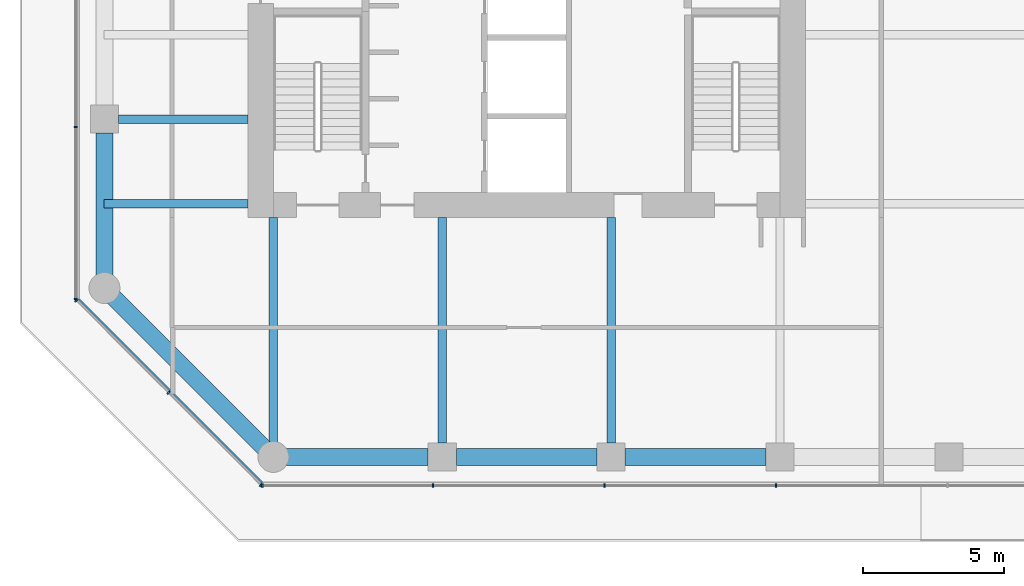
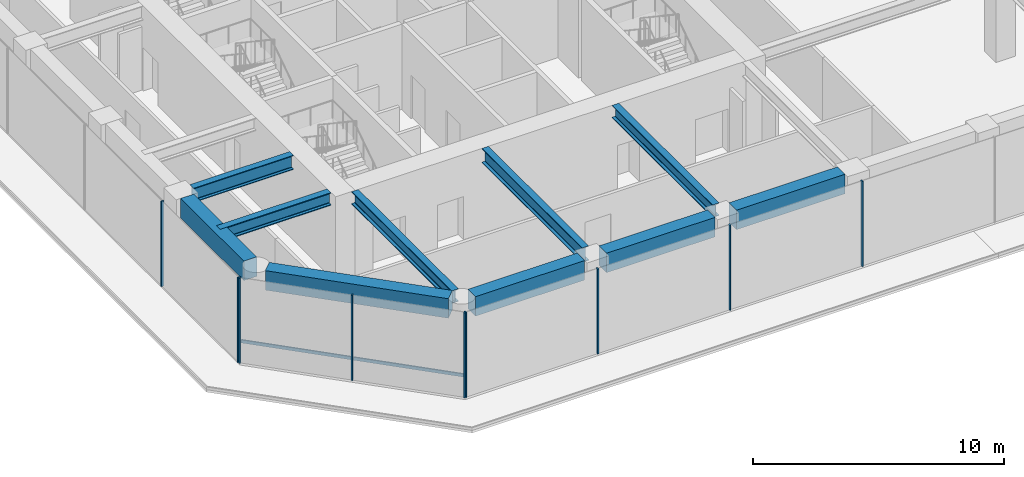
# One storey, part 2 of 24: 10 beams, 10 members, 3 elements without a shape of their own.
"""IFC4 building model written with IfcOpenShell, lengths in metres."""

from ifc_helpers import new_model, si_unit, direction, frame, origin, origin_2d, place, context, subcontext, project, spatial, rectangle, i_section, extrude, material, layer, layer_set, material_profile, profile_set, type_object, element, aggregate, save


model = new_model("IFC4")

# Units and contexts
model_context = context("Model", 3, precision=1e-05, world=origin(), true_north=direction((0.0, 1.0)))
body_context = subcontext(model_context, "Body", "Model", "MODEL_VIEW")
ifc_project = project(units=[si_unit("LENGTHUNIT", "METRE"), si_unit("AREAUNIT", "SQUARE_METRE"), si_unit("VOLUMEUNIT", "CUBIC_METRE"), si_unit("PLANEANGLEUNIT", "RADIAN"), si_unit("MASSUNIT", "GRAM", prefix="KILO")], contexts=[model_context])

# Site, building, storey
site_placement = place(None, origin())
site = spatial("IfcSite", under=ifc_project, at=site_placement, CompositionType="ELEMENT")
building_placement = place(site_placement, origin())
building = spatial("IfcBuilding", under=site, at=building_placement, Name="Welwitschia Terrace Campus", CompositionType="ELEMENT")
storey_placement = place(building_placement, frame((0.0, 0.0, 20.0)))
storey = spatial("IfcBuildingStorey", under=building, at=storey_placement, Name="L04", CompositionType="ELEMENT", Elevation=20.0)

# Beams
ifc_material_1 = material(Name="Steel S355", Category="steel")
ifc_material_profile_1 = material_profile(ifc_material_1, i_section(OverallWidth=0.304931640625, OverallDepth=0.6201171875, WebThickness=0.02099609375, FlangeThickness=0.0400390625, FilletRadius=0.027099609375, at=origin_2d()))
ifc_profile_set_1 = profile_set([ifc_material_profile_1], Name="Steel S355")
beam_type_1 = type_object("IfcBeamType", Name="Interior girder HE 600 M", PredefinedType="BEAM", material=ifc_profile_set_1)
beam_1_placement = place(storey_placement, frame((-0.010009765625, 5.0, 3.840087890625), z_axis=(1.0, 0.0, 0.0), x_axis=(0.0, 1.0, 0.0)))
element("IfcBeam", 1, at=beam_1_placement, inside=storey, type_object=beam_type_1, Name="Girder GB1", PredefinedType="BEAM", context=body_context, shape_type="SweptSolid", body=[
    extrude(i_section(OverallWidth=0.304931640625, OverallDepth=0.6201171875, WebThickness=0.02099609375, FlangeThickness=0.0400390625, FilletRadius=0.027099609375, at=origin_2d()), origin(), (0.0, 0.0, 1.0), 5.109130859375),
])
beam_2_placement = place(storey_placement, frame((6.0, -3.48095703125, 3.840087890625), z_axis=(0.0, 1.0, 0.0), x_axis=(-1.0, 0.0, 0.0)))
element("IfcBeam", 2, at=beam_2_placement, inside=storey, type_object=beam_type_1, Name="Girder GB1", PredefinedType="BEAM", context=body_context, shape_type="SweptSolid", body=[
    extrude(i_section(OverallWidth=0.304931640625, OverallDepth=0.6201171875, WebThickness=0.02099609375, FlangeThickness=0.0400390625, FilletRadius=0.027099609375, at=origin_2d()), origin(), (0.0, 0.0, 1.0), 7.97998046875),
])
beam_3_placement = place(storey_placement, frame((18.0, -3.509521484375, 3.840087890625), z_axis=(0.0, 1.0, 0.0), x_axis=(-1.0, 0.0, 0.0)))
element("IfcBeam", 3, at=beam_3_placement, inside=storey, type_object=beam_type_1, Name="Girder GB1", PredefinedType="BEAM", context=body_context, shape_type="SweptSolid", body=[
    extrude(i_section(OverallWidth=0.304931640625, OverallDepth=0.6201171875, WebThickness=0.02099609375, FlangeThickness=0.0400390625, FilletRadius=0.027099609375, at=origin_2d()), origin(), (0.0, 0.0, 1.0), 8.008544921875),
])

# Curtain wall, members
ifc_material_2 = material(Name="Bronze anodised aluminium", Category="aluminium")
ifc_layer = layer(ifc_material_2, 0.1201171875)
ifc_layer_set = layer_set([ifc_layer], Name="Bronze anodised aluminium")
curtain_wall_type = type_object("IfcCurtainWallType", Name="Curtain wall CW2 tower 6000", PredefinedType="NOTDEFINED", material=ifc_layer_set)
curtain_wall_1_placement = place(storey_placement, origin())
curtain_wall_1 = element("IfcCurtainWall", 4, at=curtain_wall_1_placement, inside=storey, type_object=curtain_wall_type, Name="CW L04.0.0", PredefinedType="NOTDEFINED")
ifc_material_3 = material(Name="Bronze anodised aluminium", Category="aluminium")
ifc_material_profile_2 = material_profile(ifc_material_3, rectangle(XDim=0.1201171875, YDim=0.06005859375, at=origin_2d()))
ifc_profile_set_2 = profile_set([ifc_material_profile_2], Name="Bronze anodised aluminium")
member_type_1 = type_object("IfcMemberType", Name="Mullion 60x120", PredefinedType="MULLION", material=ifc_profile_set_2)
member_1_placement = place(storey_placement, frame((-0.998779296875, 1.556396484375, 0.0), z_axis=(0.0, 0.0, 1.0), x_axis=(0.707106781187, 0.707106781187, 0.0)))
member_1 = element("IfcMember", 5, at=member_1_placement, type_object=member_type_1, Name="Mullion L04.0.0.0", PredefinedType="MULLION", context=body_context, shape_type="SweptSolid", body=[
    extrude(rectangle(XDim=0.1201171875, YDim=0.06005859375, at=origin_2d()), origin(), (0.0, 0.0, 1.0), 4.14990234375),
])
member_2_placement = place(storey_placement, frame((2.27880859375, -1.72119140625, 0.0), z_axis=(0.0, 0.0, 1.0), x_axis=(0.707106781187, 0.707106781187, 0.0)))
member_2 = element("IfcMember", 6, at=member_2_placement, type_object=member_type_1, Name="Mullion L04.0.0.1", PredefinedType="MULLION", context=body_context, shape_type="SweptSolid", body=[
    extrude(rectangle(XDim=0.1201171875, YDim=0.06005859375, at=origin_2d()), origin(), (0.0, 0.0, 1.0), 4.14990234375),
])
member_3_placement = place(storey_placement, frame((5.556396484375, -4.998779296875, 0.0), z_axis=(0.0, 0.0, 1.0), x_axis=(0.707106781187, 0.707106781187, 0.0)))
member_3 = element("IfcMember", 7, at=member_3_placement, type_object=member_type_1, Name="Mullion L04.0.0.2", PredefinedType="MULLION", context=body_context, shape_type="SweptSolid", body=[
    extrude(rectangle(XDim=0.1201171875, YDim=0.06005859375, at=origin_2d()), origin(), (0.0, 0.0, 1.0), 4.14990234375),
])

curtain_wall_2_placement = place(storey_placement, origin())
curtain_wall_2 = element("IfcCurtainWall", 8, at=curtain_wall_2_placement, inside=storey, type_object=curtain_wall_type, Name="CW L04.1.0", PredefinedType="NOTDEFINED")
member_4_placement = place(storey_placement, frame((5.607421875, -5.02001953125, 0.0), z_axis=(0.0, 0.0, 1.0), x_axis=(0.0, 1.0, 0.0)))
member_4 = element("IfcMember", 9, at=member_4_placement, type_object=member_type_1, Name="Mullion L04.1.0.0", PredefinedType="MULLION", context=body_context, shape_type="SweptSolid", body=[
    extrude(rectangle(XDim=0.1201171875, YDim=0.06005859375, at=origin_2d()), origin(), (0.0, 0.0, 1.0), 4.14990234375),
])
member_5_placement = place(storey_placement, frame((11.67138671875, -5.02001953125, 0.0), z_axis=(0.0, 0.0, 1.0), x_axis=(0.0, 1.0, 0.0)))
member_5 = element("IfcMember", 10, at=member_5_placement, type_object=member_type_1, Name="Mullion L04.1.0.1", PredefinedType="MULLION", context=body_context, shape_type="SweptSolid", body=[
    extrude(rectangle(XDim=0.1201171875, YDim=0.06005859375, at=origin_2d()), origin(), (0.0, 0.0, 1.0), 4.14990234375),
])
member_6_placement = place(storey_placement, frame((17.765380859375, -5.02001953125, 0.0), z_axis=(0.0, 0.0, 1.0), x_axis=(0.0, 1.0, 0.0)))
member_6 = element("IfcMember", 11, at=member_6_placement, type_object=member_type_1, Name="Mullion L04.1.0.2", PredefinedType="MULLION", context=body_context, shape_type="SweptSolid", body=[
    extrude(rectangle(XDim=0.1201171875, YDim=0.06005859375, at=origin_2d()), origin(), (0.0, 0.0, 1.0), 4.14990234375),
])
member_7_placement = place(storey_placement, frame((23.859130859375, -5.02001953125, 0.0), z_axis=(0.0, 0.0, 1.0), x_axis=(0.0, 1.0, 0.0)))
member_7 = element("IfcMember", 12, at=member_7_placement, type_object=member_type_1, Name="Mullion L04.1.0.3", PredefinedType="MULLION", context=body_context, shape_type="SweptSolid", body=[
    extrude(rectangle(XDim=0.1201171875, YDim=0.06005859375, at=origin_2d()), origin(), (0.0, 0.0, 1.0), 4.14990234375),
])
aggregate(curtain_wall_2, [member_4, member_5, member_6, member_7])

curtain_wall_3_placement = place(storey_placement, origin())
curtain_wall_3 = element("IfcCurtainWall", 13, at=curtain_wall_3_placement, inside=storey, type_object=curtain_wall_type, Name="CW L04.9.0", PredefinedType="NOTDEFINED")
member_8_placement = place(storey_placement, frame((-1.02001953125, 7.7216796875, 0.0), z_axis=(0.0, 0.0, 1.0), x_axis=(1.0, 0.0, 0.0)))
member_8 = element("IfcMember", 14, at=member_8_placement, type_object=member_type_1, Name="Mullion L04.9.0.9", PredefinedType="MULLION", context=body_context, shape_type="SweptSolid", body=[
    extrude(rectangle(XDim=0.1201171875, YDim=0.06005859375, at=origin_2d()), origin(), (0.0, 0.0, 1.0), 4.14990234375),
])
member_9_placement = place(storey_placement, frame((-1.02001953125, 1.607421875, 0.0), z_axis=(0.0, 0.0, 1.0), x_axis=(1.0, 0.0, 0.0)))
member_9 = element("IfcMember", 15, at=member_9_placement, type_object=member_type_1, Name="Mullion L04.9.0.10", PredefinedType="MULLION", context=body_context, shape_type="SweptSolid", body=[
    extrude(rectangle(XDim=0.1201171875, YDim=0.06005859375, at=origin_2d()), origin(), (0.0, 0.0, 1.0), 4.14990234375),
])
aggregate(curtain_wall_3, [member_8, member_9])

# Beams
ifc_material_4 = material(Name="Steel S355", Category="steel")
ifc_material_profile_3 = material_profile(ifc_material_4, i_section(OverallWidth=0.300048828125, OverallDepth=0.699951171875, WebThickness=0.01708984375, FlangeThickness=0.031982421875, FilletRadius=0.027099609375, at=origin_2d()))
ifc_profile_set_3 = profile_set([ifc_material_profile_3], Name="Steel S355")
beam_type_2 = type_object("IfcBeamType", Name="Primary beam HE 700 B", PredefinedType="BEAM", material=ifc_profile_set_3)
beam_4_placement = place(storey_placement, frame((12.0, -3.49951171875, 3.800048828125), z_axis=(0.0, 1.0, 0.0), x_axis=(-1.0, 0.0, 0.0)))
element("IfcBeam", 16, at=beam_4_placement, inside=storey, type_object=beam_type_2, Name="Primary beam PB1", PredefinedType="BEAM", context=body_context, shape_type="SweptSolid", body=[
    extrude(i_section(OverallWidth=0.300048828125, OverallDepth=0.699951171875, WebThickness=0.01708984375, FlangeThickness=0.031982421875, FilletRadius=0.027099609375, at=origin_2d()), origin(), (0.0, 0.0, 1.0), 7.99951171875),
])
beam_5_placement = place(storey_placement, frame((0.50048828125, 8.0, 3.800048828125), z_axis=(1.0, 0.0, 0.0), x_axis=(0.0, 1.0, 0.0)))
element("IfcBeam", 17, at=beam_5_placement, inside=storey, type_object=beam_type_2, Name="Primary beam PB1", PredefinedType="BEAM", context=body_context, shape_type="SweptSolid", body=[
    extrude(i_section(OverallWidth=0.300048828125, OverallDepth=0.699951171875, WebThickness=0.01708984375, FlangeThickness=0.031982421875, FilletRadius=0.027099609375, at=origin_2d()), origin(), (0.0, 0.0, 1.0), 4.599609375),
])
ifc_material_5 = material(Name="Concrete C60/75", Category="concrete")
ifc_material_profile_4 = material_profile(ifc_material_5, rectangle(XDim=0.60009765625, YDim=0.949951171875, at=origin_2d()))
ifc_profile_set_4 = profile_set([ifc_material_profile_4], Name="Concrete C60/75")
beam_type_3 = type_object("IfcBeamType", Name="Ring spandrel 600x950", PredefinedType="SPANDREL", material=ifc_profile_set_4)
beam_6_placement = place(storey_placement, frame((0.326416015625, 1.673583984375, 3.675048828125), z_axis=(0.707106781187, -0.707106781187, 0.0), x_axis=(0.707106781187, 0.707106781187, 0.0)))
element("IfcBeam", 18, at=beam_6_placement, inside=storey, type_object=beam_type_3, Name="Spandrel SP1", PredefinedType="SPANDREL", context=body_context, shape_type="SweptSolid", body=[
    extrude(rectangle(XDim=0.60009765625, YDim=0.949951171875, at=origin_2d()), origin(), (0.0, 0.0, 1.0), 7.56201171875),
])
beam_7_placement = place(storey_placement, frame((6.46142578125, -4.0, 3.675048828125), z_axis=(1.0, 0.0, 0.0), x_axis=(0.0, 1.0, 0.0)))
element("IfcBeam", 19, at=beam_7_placement, inside=storey, type_object=beam_type_3, Name="Spandrel SP1", PredefinedType="SPANDREL", context=body_context, shape_type="SweptSolid", body=[
    extrude(rectangle(XDim=0.60009765625, YDim=0.949951171875, at=origin_2d()), origin(), (0.0, 0.0, 1.0), 5.0380859375),
])
for number, where, z_axis, x_axis, name in (
    (20, (12.50048828125, -4.0, 3.675048828125), (1.0, 0.0, 0.0), (0.0, 1.0, 0.0), "Spandrel SP1"),
    (21, (18.50048828125, -4.0, 3.675048828125), (1.0, 0.0, 0.0), (0.0, 1.0, 0.0), "Spandrel SP1"),
):
    element("IfcBeam", number, at=place(storey_placement, frame(where, z_axis=z_axis, x_axis=x_axis)), inside=storey, type_object=beam_type_3, Name=name, PredefinedType="SPANDREL", context=body_context, shape_type="SweptSolid", body=[
        extrude(rectangle(XDim=0.60009765625, YDim=0.949951171875, at=origin_2d()), origin(), (0.0, 0.0, 1.0), 4.9990234375),
    ])
beam_8_placement = place(storey_placement, frame((0.0, 7.49951171875, 3.675048828125), z_axis=(0.0, -1.0, 0.0), x_axis=(1.0, 0.0, 0.0)))
element("IfcBeam", 22, at=beam_8_placement, inside=storey, type_object=beam_type_3, Name="Spandrel SP1", PredefinedType="SPANDREL", context=body_context, shape_type="SweptSolid", body=[
    extrude(rectangle(XDim=0.60009765625, YDim=0.949951171875, at=origin_2d()), origin(), (0.0, 0.0, 1.0), 5.0380859375),
])

# Member
ifc_material_6 = material(Name="Bronze anodised aluminium", Category="aluminium")
ifc_material_profile_5 = material_profile(ifc_material_6, rectangle(XDim=0.06005859375, YDim=0.14990234375, at=origin_2d()))
ifc_profile_set_5 = profile_set([ifc_material_profile_5], Name="Bronze anodised aluminium")
member_type_2 = type_object("IfcMemberType", Name="Transom 60x150", PredefinedType="USERDEFINED", material=ifc_profile_set_5)
member_10_placement = place(storey_placement, frame((-0.913818359375, 1.5986328125, 1.0), z_axis=(0.707106781187, -0.707106781187, 0.0), x_axis=(0.707106781187, 0.707106781187, 0.0)))
member_10 = element("IfcMember", 23, at=member_10_placement, type_object=member_type_2, Name="Transom L04.0.0", ObjectType="TRANSOM", PredefinedType="USERDEFINED", context=body_context, shape_type="SweptSolid", body=[
    extrude(rectangle(XDim=0.06005859375, YDim=0.14990234375, at=origin_2d()), origin(), (0.0, 0.0, 1.0), 9.2099609375),
])

aggregate(curtain_wall_1, [member_1, member_2, member_3, member_10])

save(model, "model.ifc")
